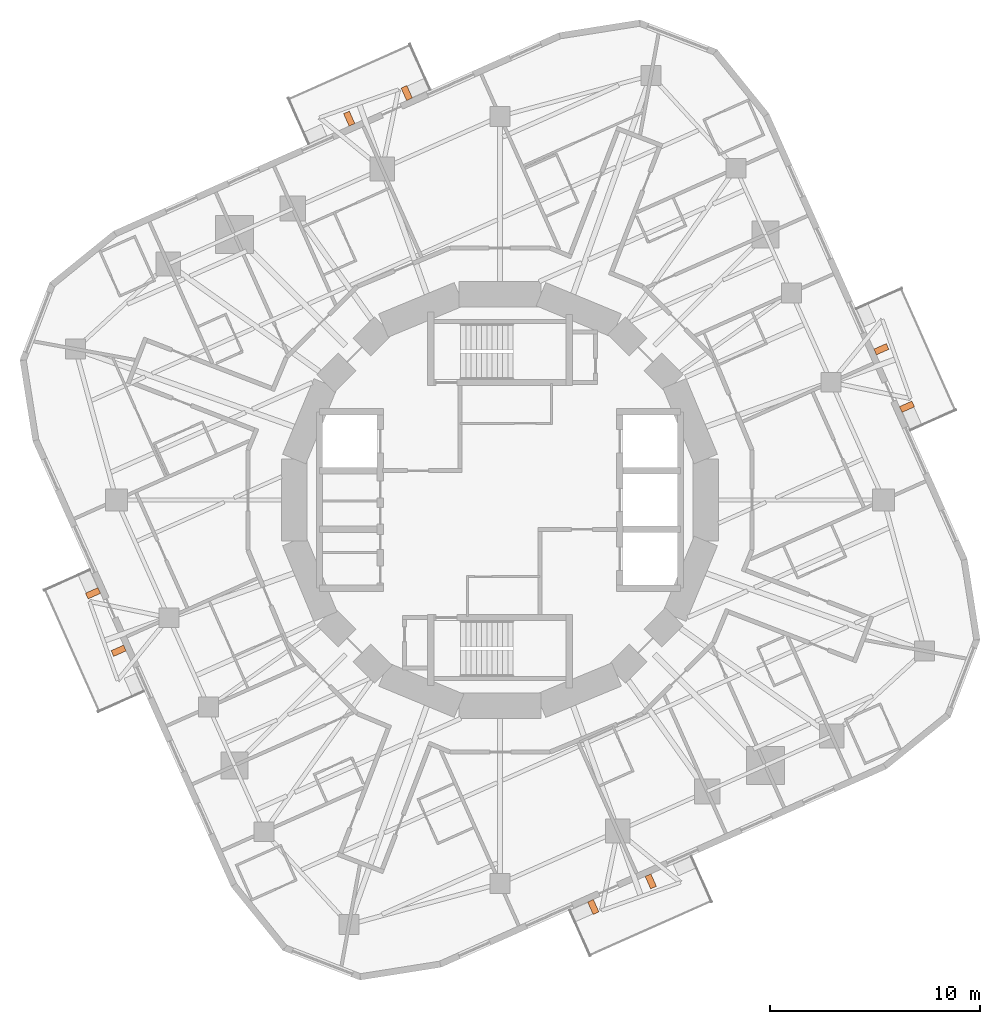
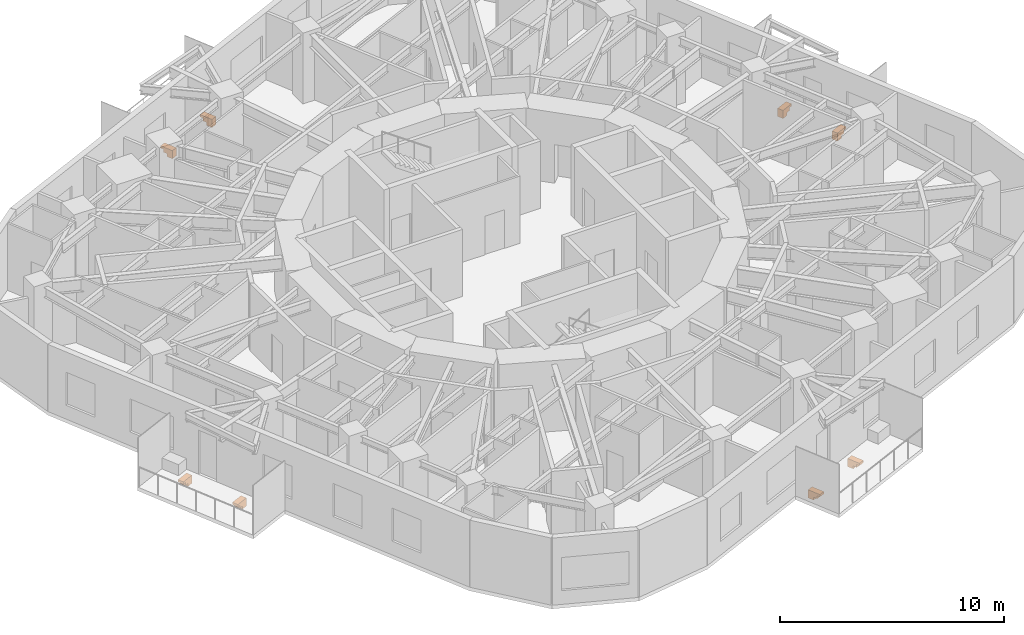
# One storey, part 12 of 12: 8 proxies.
"""IFC4 building model written with IfcOpenShell, lengths in metres."""

import ifcopenshell
import ifcopenshell.guid

model = None  # the IFC model being written
_history = None  # IfcOwnerHistory: only IFC2X3 demands one
_inside = {}  # id of a spatial element -> (the spatial element, [elements in it])
_under = {}  # id of a project, library or spatial element -> (it, [spatial elements below it])
_declared = {}  # id of a project -> (the project, [libraries it declares])
_typed = {}  # id of a type object -> (the type object, [elements of that type])
_made_of = {}  # id of a material, layer set ... -> (it, [elements and type objects made of it])


def new_model(schema):
    """Start an empty IFC model of exactly this schema.

    Asked for "IFC4X3", IfcOpenShell would pick the latest addendum, in which some entities
    have other attributes; the version numbers below select the first issue.
    IFC2X3 requires an IfcOwnerHistory on every rooted entity: one is made here for all.
    """
    global model, _history
    if schema == "IFC4X3":
        model = ifcopenshell.file(schema_version=(4, 3, 0, 0))
    else:
        model = ifcopenshell.file(schema=schema)
    _inside.clear()
    _under.clear()
    _declared.clear()
    _typed.clear()
    _made_of.clear()
    _history = None
    if model.schema == "IFC2X3":
        org = make("IfcOrganization", Name="unknown")
        user = make(
            "IfcPersonAndOrganization",
            ThePerson=make("IfcPerson", FamilyName="unknown"),
            TheOrganization=org,
        )
        app = make(
            "IfcApplication",
            ApplicationDeveloper=org,
            Version="unknown",
            ApplicationFullName="unknown",
            ApplicationIdentifier="unknown",
        )
        _history = make(
            "IfcOwnerHistory",
            OwningUser=user,
            OwningApplication=app,
            ChangeAction="ADDED",
            CreationDate=0,
        )
    return model


def make(cls, **values):
    """One entity of the class cls with the attributes given. An attribute that is None is left unset."""
    return model.create_entity(
        cls, **{name: value for name, value in values.items() if value is not None}
    )


def rooted(cls, **values):
    """An entity with a GlobalId (a new one), such as an element, a storey or a relation."""
    return make(cls, GlobalId=ifcopenshell.guid.new(), OwnerHistory=_history, **values)


def si_unit(unit_type, name, prefix=None):
    """IfcSIUnit, for example si_unit("LENGTHUNIT", "METRE", prefix="MILLI")."""
    return make("IfcSIUnit", UnitType=unit_type, Prefix=prefix, Name=name)


def assignment(units):
    """IfcUnitAssignment: the units of a project."""
    return None if units is None else make("IfcUnitAssignment", Units=units)


def point(xyz):
    """IfcCartesianPoint."""
    return None if xyz is None else make("IfcCartesianPoint", Coordinates=xyz)


def direction(xyz):
    """IfcDirection."""
    return None if xyz is None else make("IfcDirection", DirectionRatios=xyz)


def frame(location, z_axis=None, x_axis=None):
    """IfcAxis2Placement3D, a coordinate frame: its origin and axes. An axis left out is left unset."""
    return make(
        "IfcAxis2Placement3D",
        Location=point(location),
        Axis=direction(z_axis),
        RefDirection=direction(x_axis),
    )


def origin():
    """The frame at (0, 0, 0) with its axes left unset."""
    return frame((0.0, 0.0, 0.0))


def place(relative_to, where):
    """IfcLocalPlacement: puts the frame where relative to a parent placement (None: the world)."""
    return make(
        "IfcLocalPlacement", PlacementRelTo=relative_to, RelativePlacement=where
    )


def context(
    kind, dimensions, precision=None, world=None, true_north=None, identifier=None
):
    """IfcGeometricRepresentationContext, for example the 3D "Model" context."""
    return make(
        "IfcGeometricRepresentationContext",
        ContextIdentifier=identifier,
        ContextType=kind,
        CoordinateSpaceDimension=dimensions,
        Precision=precision,
        WorldCoordinateSystem=world,
        TrueNorth=true_north,
    )


def subcontext(parent, identifier, kind, view, scale=None):
    """IfcGeometricRepresentationSubContext, for example "Body" below "Model"."""
    return make(
        "IfcGeometricRepresentationSubContext",
        ContextIdentifier=identifier,
        ContextType=kind,
        ParentContext=parent,
        TargetScale=scale,
        TargetView=view,
    )


def project(units=None, contexts=None):
    """IfcProject with its units and contexts."""
    return rooted(
        "IfcProject",
        Name="project",
        RepresentationContexts=contexts,
        UnitsInContext=assignment(units),
    )


def spatial(cls, under=None, at=None, **own):
    """A site, building, storey or space (cls), placed at a placement, below another one or the project."""
    s = rooted(cls, ObjectPlacement=at, **own)
    if under is not None:
        _under.setdefault(under.id(), (under, []))[1].append(s)
    return s


def polyline(points):
    """IfcPolyline through the points."""
    return make("IfcPolyline", Points=[point(p) for p in points])


def outline(outer, holes=None, kind="AREA"):
    """IfcArbitraryClosedProfileDef: a profile drawn as a closed curve; with holes, ...WithVoids."""
    if holes is None:
        return make("IfcArbitraryClosedProfileDef", ProfileType=kind, OuterCurve=outer)
    return make(
        "IfcArbitraryProfileDefWithVoids",
        ProfileType=kind,
        OuterCurve=outer,
        InnerCurves=holes,
    )


def extrude(swept, where, along, depth):
    """IfcExtrudedAreaSolid: the profile swept, set in the frame where, extruded along a direction by depth."""
    return make(
        "IfcExtrudedAreaSolid",
        SweptArea=swept,
        Position=where,
        ExtrudedDirection=direction(along),
        Depth=depth,
    )


def shape(context_of_items, identifier, shape_type, items):
    """IfcShapeRepresentation: the items that make up one representation, for example the "Body"."""
    return make(
        "IfcShapeRepresentation",
        ContextOfItems=context_of_items,
        RepresentationIdentifier=identifier,
        RepresentationType=shape_type,
        Items=items,
    )


def material(Name=None, Category=None):
    """IfcMaterial."""
    return make("IfcMaterial", Name=Name, Category=Category)


def made_of(thing, what):
    """Note that an element or type object is made of a material, layer set ...; save() writes the relation."""
    if what is not None:
        _made_of.setdefault(what.id(), (what, []))[1].append(thing)
    return thing


def type_object(cls, material=None, **own):
    """A type object (cls), such as IfcWallType, which elements share."""
    return made_of(rooted(cls, **own), material)


def element(
    cls,
    number,
    at=None,
    inside=None,
    cuts=None,
    type_object=None,
    material=None,
    context=None,
    identifier="Body",
    shape_type=None,
    held_by="IfcProductDefinitionShape",
    body=None,
    shapes=None,
    **own,
):
    """One element of the class cls, such as IfcWall. Its Tag is "e" and its number.

    at: its placement. inside: the storey or other place that contains it. cuts: it is an
    opening in that element (IfcRelVoidsElement). A single representation is given by context,
    identifier, shape_type and body (its items); several are given by shapes. held_by: the class
    of the entity that holds the representations. save() writes the other relations.
    """
    e = rooted(cls, Tag="e%d" % number, ObjectPlacement=at, **own)
    if body is not None:
        shapes = [shape(context, identifier, shape_type, body)]
    if shapes is not None:
        e.Representation = make(held_by, Representations=shapes)
    if inside is not None:
        _inside.setdefault(inside.id(), (inside, []))[1].append(e)
    if cuts is not None:
        rooted(
            "IfcRelVoidsElement", RelatingBuildingElement=cuts, RelatedOpeningElement=e
        )
    if type_object is not None:
        _typed.setdefault(type_object.id(), (type_object, []))[1].append(e)
    return made_of(e, material)


def aggregate(whole, parts):
    """IfcRelAggregates: a whole, such as a stair, and the parts it consists of."""
    return rooted("IfcRelAggregates", RelatingObject=whole, RelatedObjects=parts)


def save(model, path):
    """Write the relations noted so far, then the file.

    IfcRelAggregates (storeys below a building ...), IfcRelContainedInSpatialStructure (elements
    in a storey), IfcRelDefinesByType, IfcRelAssociatesMaterial and IfcRelDeclares: one each for
    every whole, place, type object, material and project.
    """
    for whole, parts in _under.values():
        aggregate(whole, parts)
    for where, things in _inside.values():
        rooted(
            "IfcRelContainedInSpatialStructure",
            RelatedElements=things,
            RelatingStructure=where,
        )
    for kind, things in _typed.values():
        rooted("IfcRelDefinesByType", RelatedObjects=things, RelatingType=kind)
    for what, things in _made_of.values():
        rooted("IfcRelAssociatesMaterial", RelatedObjects=things, RelatingMaterial=what)
    for by, libraries in _declared.values():
        rooted("IfcRelDeclares", RelatingContext=by, RelatedDefinitions=libraries)
    model.write(path)


model = new_model("IFC4")

# Units and contexts
model_context = context("Model", 3, precision=1e-05, world=origin(), true_north=direction((0.0, 1.0)))
body_context = subcontext(model_context, "Body", "Model", "MODEL_VIEW")
ifc_project = project(units=[si_unit("LENGTHUNIT", "METRE"), si_unit("AREAUNIT", "SQUARE_METRE"), si_unit("VOLUMEUNIT", "CUBIC_METRE"), si_unit("PLANEANGLEUNIT", "RADIAN"), si_unit("MASSUNIT", "GRAM", prefix="KILO")], contexts=[model_context])

# Site, building, storey
site_placement = place(None, origin())
site = spatial("IfcSite", under=ifc_project, at=site_placement, CompositionType="ELEMENT")
building_placement = place(site_placement, origin())
building = spatial("IfcBuilding", under=site, at=building_placement, Name="Nakasero Lantern House", CompositionType="ELEMENT")
storey_placement = place(building_placement, frame((0.0, 0.0, 209.39990234375)))
storey = spatial("IfcBuildingStorey", under=building, at=storey_placement, Name="L51", CompositionType="ELEMENT", Elevation=209.39990234375)

# Proxies
ifc_material = material(Name="Concrete C40/50 precast", Category="concrete")
building_element_proxy_type = type_object("IfcBuildingElementProxyType", Name="Balcony bracket 300", PredefinedType="USERDEFINED", material=ifc_material)
for number, where, z_axis, x_axis, name in (
    (1, (19.097412109375, 4.311767578125, -0.199951171875), (0.0, 0.0, 1.0), (0.913545458, 0.406736643, 0.0), "Balcony bracket L51 0A"),
    (2, (17.877197265625, 7.052490234375, -0.199951171875), (0.0, 0.0, 1.0), (0.913545458, 0.406736643, 0.0), "Balcony bracket L51 0B"),
    (3, (-4.311767578125, 19.097412109375, -0.199951171875), (0.0, 0.0, 1.0), (-0.406736643, 0.913545458, 0.0), "Balcony bracket L51 1A"),
    (4, (-7.052490234375, 17.877197265625, -0.199951171875), (0.0, 0.0, 1.0), (-0.406736643, 0.913545458, 0.0), "Balcony bracket L51 1B"),
    (5, (-19.097412109375, -4.311767578125, -0.199951171875), (0.0, 0.0, 1.0), (-0.913545458, -0.406736643, 0.0), "Balcony bracket L51 2A"),
    (6, (-17.877197265625, -7.052490234375, -0.199951171875), (0.0, 0.0, 1.0), (-0.913545458, -0.406736643, 0.0), "Balcony bracket L51 2B"),
    (7, (4.311767578125, -19.097412109375, -0.199951171875), (0.0, 0.0, 1.0), (0.406736643, -0.913545458, 0.0), "Balcony bracket L51 3A"),
    (8, (7.052490234375, -17.877197265625, -0.199951171875), (0.0, 0.0, 1.0), (0.406736643, -0.913545458, 0.0), "Balcony bracket L51 3B"),
):
    element("IfcBuildingElementProxy", number, at=place(storey_placement, frame(where, z_axis=z_axis, x_axis=x_axis)), inside=storey, type_object=building_element_proxy_type, Name=name, ObjectType="BALCONY BRACKET", PredefinedType="USERDEFINED", context=body_context, shape_type="SweptSolid", body=[
        extrude(outline(polyline([(0.0, 0.0), (0.64990234375, 0.0), (0.64990234375, -0.1201171875), (0.5, -0.1201171875), (0.5, -0.280029296875), (0.300048828125, -0.280029296875), (0.300048828125, -0.43994140625), (0.0, -0.43994140625), (0.0, 0.0)])), frame((0.0, 0.14990234375, 0.0), z_axis=(0.0, -1.0, 0.0), x_axis=(1.0, 0.0, 0.0)), (0.0, 0.0, 1.0), 0.300048828125),
    ])

save(model, "model.ifc")
